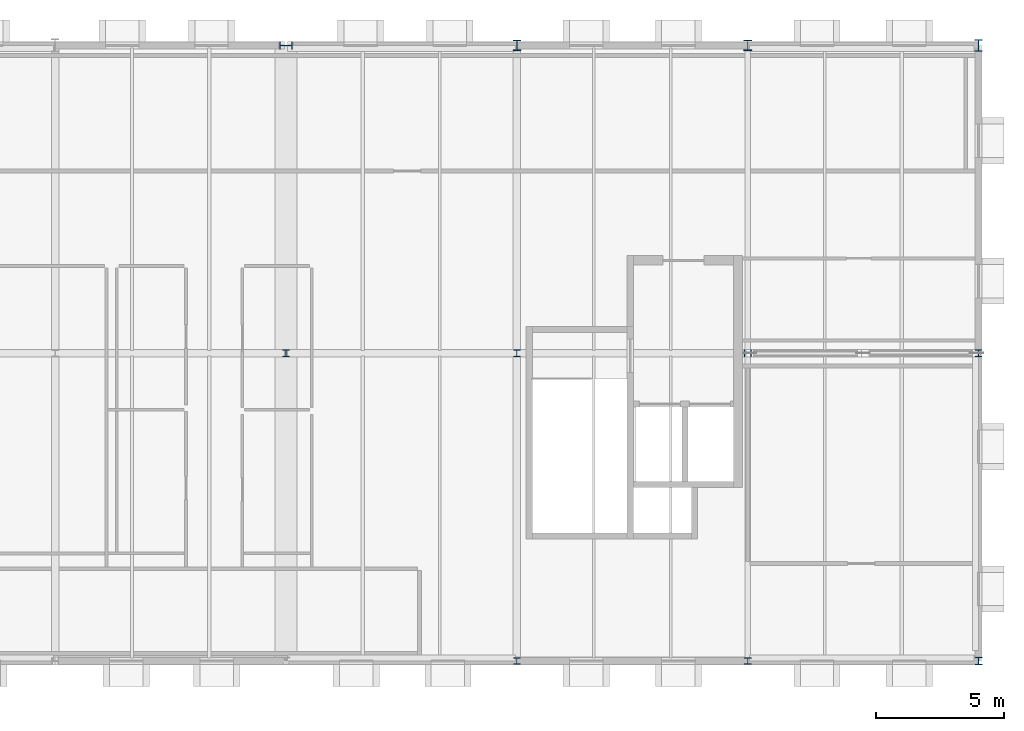
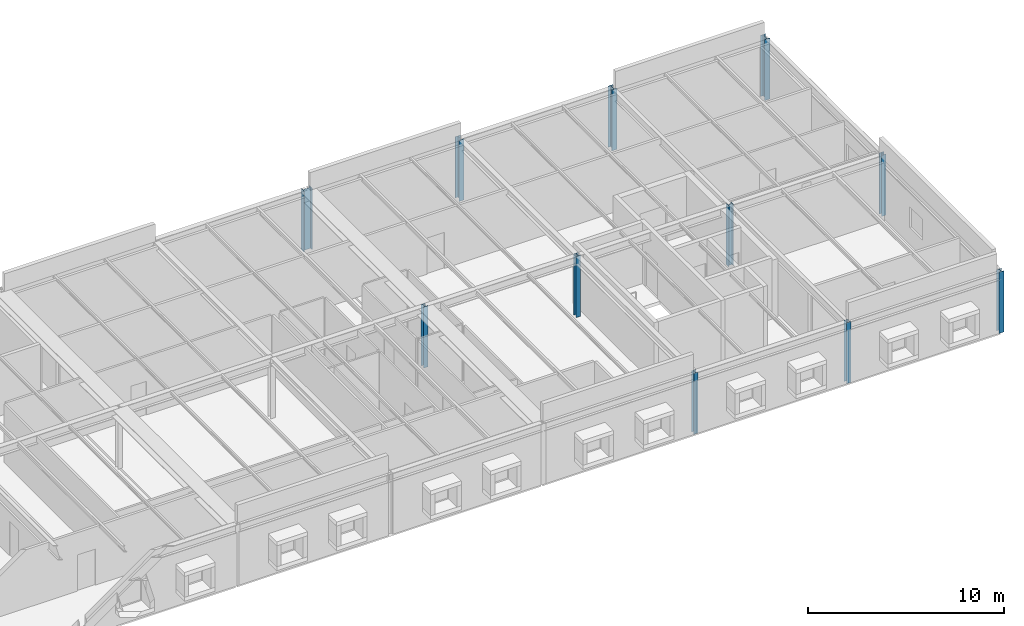
# One storey, part 3 of 16: 11 columns.
"""IFC4 building model written with IfcOpenShell, lengths in metres."""

from ifc_helpers import new_model, si_unit, direction, frame, origin, origin_2d, place, context, subcontext, project, spatial, i_section, extrude, material, material_profile, profile_set, type_object, element, save


model = new_model("IFC4")

# Units and contexts
model_context = context("Model", 3, precision=1e-05, world=origin(), true_north=direction((0.0, 1.0)))
body_context = subcontext(model_context, "Body", "Model", "MODEL_VIEW")
ifc_project = project(units=[si_unit("LENGTHUNIT", "METRE"), si_unit("AREAUNIT", "SQUARE_METRE"), si_unit("VOLUMEUNIT", "CUBIC_METRE"), si_unit("PLANEANGLEUNIT", "RADIAN"), si_unit("MASSUNIT", "GRAM", prefix="KILO")], contexts=[model_context])

# Site, building, storey
site_placement = place(None, origin())
site = spatial("IfcSite", under=ifc_project, at=site_placement, CompositionType="ELEMENT")
building_placement = place(site_placement, origin())
building = spatial("IfcBuilding", under=site, at=building_placement, Name="Montelvaro Courts of Justice", CompositionType="ELEMENT")
storey_placement = place(building_placement, frame((0.0, 0.0, 35.39990234375)))
storey = spatial("IfcBuildingStorey", under=building, at=storey_placement, Name="L08", CompositionType="ELEMENT", Elevation=35.39990234375)

# Columns
ifc_material = material(Name="Steel S355", Category="steel")
ifc_material_profile_1 = material_profile(ifc_material, i_section(OverallWidth=0.260009765625, OverallDepth=0.260009765625, WebThickness=0.010009765625, FlangeThickness=0.017578125, at=origin_2d()), Name="HEB 260")
ifc_profile_set_1 = profile_set([ifc_material_profile_1], Name="Steel S355")
column_type_1 = type_object("IfcColumnType", Name="Col_HEB260", PredefinedType="COLUMN", material=ifc_profile_set_1)
for number, where, z_axis, x_axis, name in (
    (1, (99.0, 12.0, 0.0), (0.0, 0.0, 1.0), (1.0, 0.0, 0.0), "Column C-01 L08 12/B"),
    (2, (108.0, 0.0, 0.0), (0.0, 0.0, 1.0), (1.0, 0.0, 0.0), "Column C-01 L08 13/A"),
    (3, (108.0, 12.0, 0.0), (0.0, 0.0, 1.0), (1.0, 0.0, 0.0), "Column C-01 L08 13/B"),
    (4, (117.0, 0.0, 0.0), (0.0, 0.0, 1.0), (1.0, 0.0, 0.0), "Column C-01 L08 14/A"),
    (5, (126.0, 12.0, 0.0), (0.0, 0.0, 1.0), (1.0, 0.0, 0.0), "Column C-01 L08 15/B"),
):
    element("IfcColumn", number, at=place(storey_placement, frame(where, z_axis=z_axis, x_axis=x_axis)), inside=storey, type_object=column_type_1, Name=name, PredefinedType="COLUMN", context=body_context, shape_type="SweptSolid", body=[
        extrude(i_section(OverallWidth=0.260009765625, OverallDepth=0.260009765625, WebThickness=0.010009765625, FlangeThickness=0.017578125, at=origin_2d()), origin(), (0.0, 0.0, 1.0), 3.800048828125),
    ])
ifc_material_profile_2 = material_profile(ifc_material, i_section(OverallWidth=0.280029296875, OverallDepth=0.280029296875, WebThickness=0.010498046875, FlangeThickness=0.01806640625, at=origin_2d()), Name="HEB 280")
ifc_profile_set_2 = profile_set([ifc_material_profile_2], Name="Steel S355")
column_type_2 = type_object("IfcColumnType", Name="Col_HEB280", PredefinedType="COLUMN", material=ifc_profile_set_2)
for number, where, z_axis, x_axis, name in (
    (6, (117.0, 12.0, 0.0), (0.0, 0.0, 1.0), (0.0, 1.0, 0.0), "Column C-02 L08 14/B"),
    (7, (126.0, 0.0, 0.0), (0.0, 0.0, 1.0), (1.0, 0.0, 0.0), "Column C-02 L08 15/A"),
):
    element("IfcColumn", number, at=place(storey_placement, frame(where, z_axis=z_axis, x_axis=x_axis)), inside=storey, type_object=column_type_2, Name=name, PredefinedType="COLUMN", context=body_context, shape_type="SweptSolid", body=[
        extrude(i_section(OverallWidth=0.280029296875, OverallDepth=0.280029296875, WebThickness=0.010498046875, FlangeThickness=0.01806640625, at=origin_2d()), origin(), (0.0, 0.0, 1.0), 3.800048828125),
    ])
ifc_material_profile_3 = material_profile(ifc_material, i_section(OverallWidth=0.300048828125, OverallDepth=0.39990234375, WebThickness=0.013427734375, FlangeThickness=0.02392578125, at=origin_2d()), Name="HEB 400")
ifc_profile_set_3 = profile_set([ifc_material_profile_3], Name="Steel S355")
column_type_3 = type_object("IfcColumnType", Name="Col_HEB400", PredefinedType="COLUMN", material=ifc_profile_set_3)
for number, where, z_axis, x_axis, name in (
    (8, (108.0, 24.0, 0.0), (0.0, 0.0, 1.0), (1.0, 0.0, 0.0), "Column C-07 L08 13/C"),
    (9, (117.0, 24.0, 0.0), (0.0, 0.0, 1.0), (1.0, 0.0, 0.0), "Column C-07 L08 14/C"),
):
    element("IfcColumn", number, at=place(storey_placement, frame(where, z_axis=z_axis, x_axis=x_axis)), inside=storey, type_object=column_type_3, Name=name, PredefinedType="COLUMN", context=body_context, shape_type="SweptSolid", body=[
        extrude(i_section(OverallWidth=0.300048828125, OverallDepth=0.39990234375, WebThickness=0.013427734375, FlangeThickness=0.02392578125, at=origin_2d()), origin(), (0.0, 0.0, 1.0), 3.800048828125),
    ])
ifc_material_profile_4 = material_profile(ifc_material, i_section(OverallWidth=0.300048828125, OverallDepth=0.449951171875, WebThickness=0.013916015625, FlangeThickness=0.02587890625, at=origin_2d()), Name="HEB 450")
ifc_profile_set_4 = profile_set([ifc_material_profile_4], Name="Steel S355")
column_type_4 = type_object("IfcColumnType", Name="Col_HEB450", PredefinedType="COLUMN", material=ifc_profile_set_4)
column_1_placement = place(storey_placement, frame((126.0, 24.0, 0.0), z_axis=(0.0, 0.0, 1.0), x_axis=(1.0, 0.0, 0.0)))
element("IfcColumn", 10, at=column_1_placement, inside=storey, type_object=column_type_4, Name="Column C-08 L08 15/C", PredefinedType="COLUMN", context=body_context, shape_type="SweptSolid", body=[
    extrude(i_section(OverallWidth=0.300048828125, OverallDepth=0.449951171875, WebThickness=0.013916015625, FlangeThickness=0.02587890625, at=origin_2d()), origin(), (0.0, 0.0, 1.0), 3.800048828125),
])
ifc_material_profile_5 = material_profile(ifc_material, i_section(OverallWidth=0.300048828125, OverallDepth=0.5, WebThickness=0.014404296875, FlangeThickness=0.028076171875, at=origin_2d()), Name="HEB 500")
ifc_profile_set_5 = profile_set([ifc_material_profile_5], Name="Steel S355")
column_type_5 = type_object("IfcColumnType", Name="Col_HEB500", PredefinedType="COLUMN", material=ifc_profile_set_5)
column_2_placement = place(storey_placement, frame((99.0, 24.0, 0.0), z_axis=(0.0, 0.0, 1.0), x_axis=(0.0, 1.0, 0.0)))
element("IfcColumn", 11, at=column_2_placement, inside=storey, type_object=column_type_5, Name="Column C-09 L08 12/C", PredefinedType="COLUMN", context=body_context, shape_type="SweptSolid", body=[
    extrude(i_section(OverallWidth=0.300048828125, OverallDepth=0.5, WebThickness=0.014404296875, FlangeThickness=0.028076171875, at=origin_2d()), origin(), (0.0, 0.0, 1.0), 3.800048828125),
])

save(model, "model.ifc")
